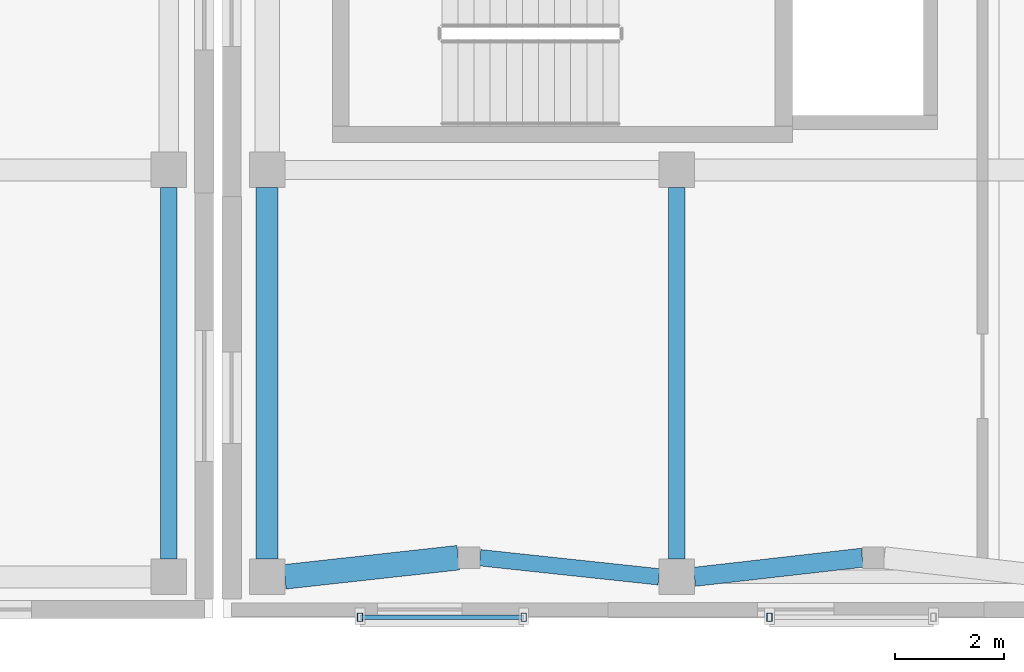
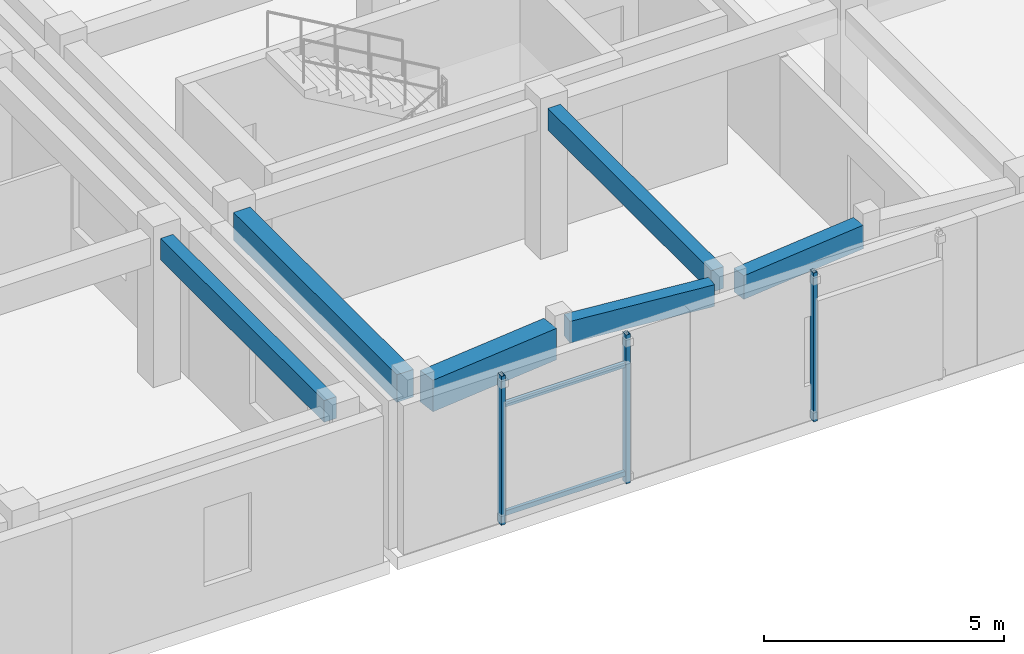
# One storey, part 27 of 146: 6 beams, 5 members.
"""IFC4 building model written with IfcOpenShell, lengths in metres."""

import ifcopenshell
import ifcopenshell.guid

model = None  # the IFC model being written
_history = None  # IfcOwnerHistory: only IFC2X3 demands one
_inside = {}  # id of a spatial element -> (the spatial element, [elements in it])
_under = {}  # id of a project, library or spatial element -> (it, [spatial elements below it])
_declared = {}  # id of a project -> (the project, [libraries it declares])
_typed = {}  # id of a type object -> (the type object, [elements of that type])
_made_of = {}  # id of a material, layer set ... -> (it, [elements and type objects made of it])


def new_model(schema):
    """Start an empty IFC model of exactly this schema.

    Asked for "IFC4X3", IfcOpenShell would pick the latest addendum, in which some entities
    have other attributes; the version numbers below select the first issue.
    IFC2X3 requires an IfcOwnerHistory on every rooted entity: one is made here for all.
    """
    global model, _history
    if schema == "IFC4X3":
        model = ifcopenshell.file(schema_version=(4, 3, 0, 0))
    else:
        model = ifcopenshell.file(schema=schema)
    _inside.clear()
    _under.clear()
    _declared.clear()
    _typed.clear()
    _made_of.clear()
    _history = None
    if model.schema == "IFC2X3":
        org = make("IfcOrganization", Name="unknown")
        user = make(
            "IfcPersonAndOrganization",
            ThePerson=make("IfcPerson", FamilyName="unknown"),
            TheOrganization=org,
        )
        app = make(
            "IfcApplication",
            ApplicationDeveloper=org,
            Version="unknown",
            ApplicationFullName="unknown",
            ApplicationIdentifier="unknown",
        )
        _history = make(
            "IfcOwnerHistory",
            OwningUser=user,
            OwningApplication=app,
            ChangeAction="ADDED",
            CreationDate=0,
        )
    return model


def make(cls, **values):
    """One entity of the class cls with the attributes given. An attribute that is None is left unset."""
    return model.create_entity(
        cls, **{name: value for name, value in values.items() if value is not None}
    )


def rooted(cls, **values):
    """An entity with a GlobalId (a new one), such as an element, a storey or a relation."""
    return make(cls, GlobalId=ifcopenshell.guid.new(), OwnerHistory=_history, **values)


def si_unit(unit_type, name, prefix=None):
    """IfcSIUnit, for example si_unit("LENGTHUNIT", "METRE", prefix="MILLI")."""
    return make("IfcSIUnit", UnitType=unit_type, Prefix=prefix, Name=name)


def assignment(units):
    """IfcUnitAssignment: the units of a project."""
    return None if units is None else make("IfcUnitAssignment", Units=units)


def point(xyz):
    """IfcCartesianPoint."""
    return None if xyz is None else make("IfcCartesianPoint", Coordinates=xyz)


def direction(xyz):
    """IfcDirection."""
    return None if xyz is None else make("IfcDirection", DirectionRatios=xyz)


def frame(location, z_axis=None, x_axis=None):
    """IfcAxis2Placement3D, a coordinate frame: its origin and axes. An axis left out is left unset."""
    return make(
        "IfcAxis2Placement3D",
        Location=point(location),
        Axis=direction(z_axis),
        RefDirection=direction(x_axis),
    )


def frame_2d(location, x_axis=None):
    """IfcAxis2Placement2D, a coordinate frame in the plane: its origin and x axis."""
    return make(
        "IfcAxis2Placement2D", Location=point(location), RefDirection=direction(x_axis)
    )


def origin():
    """The frame at (0, 0, 0) with its axes left unset."""
    return frame((0.0, 0.0, 0.0))


def origin_2d():
    """The frame at (0, 0) in the plane with its x axis left unset."""
    return frame_2d((0.0, 0.0))


def place(relative_to, where):
    """IfcLocalPlacement: puts the frame where relative to a parent placement (None: the world)."""
    return make(
        "IfcLocalPlacement", PlacementRelTo=relative_to, RelativePlacement=where
    )


def context(
    kind, dimensions, precision=None, world=None, true_north=None, identifier=None
):
    """IfcGeometricRepresentationContext, for example the 3D "Model" context."""
    return make(
        "IfcGeometricRepresentationContext",
        ContextIdentifier=identifier,
        ContextType=kind,
        CoordinateSpaceDimension=dimensions,
        Precision=precision,
        WorldCoordinateSystem=world,
        TrueNorth=true_north,
    )


def subcontext(parent, identifier, kind, view, scale=None):
    """IfcGeometricRepresentationSubContext, for example "Body" below "Model"."""
    return make(
        "IfcGeometricRepresentationSubContext",
        ContextIdentifier=identifier,
        ContextType=kind,
        ParentContext=parent,
        TargetScale=scale,
        TargetView=view,
    )


def project(units=None, contexts=None):
    """IfcProject with its units and contexts."""
    return rooted(
        "IfcProject",
        Name="project",
        RepresentationContexts=contexts,
        UnitsInContext=assignment(units),
    )


def spatial(cls, under=None, at=None, **own):
    """A site, building, storey or space (cls), placed at a placement, below another one or the project."""
    s = rooted(cls, ObjectPlacement=at, **own)
    if under is not None:
        _under.setdefault(under.id(), (under, []))[1].append(s)
    return s


def profile(cls, at=None, kind="AREA", **sizes):
    """A parametric profile (cls). Its sizes go by their IFC names, for example OverallWidth=200.0."""
    return make(cls, ProfileType=kind, Position=at, **sizes)


def rectangle(**sizes):
    """IfcRectangleProfileDef."""
    return profile("IfcRectangleProfileDef", **sizes)


def hollow_rectangle(**sizes):
    """IfcRectangleHollowProfileDef."""
    return profile("IfcRectangleHollowProfileDef", **sizes)


def extrude(swept, where, along, depth):
    """IfcExtrudedAreaSolid: the profile swept, set in the frame where, extruded along a direction by depth."""
    return make(
        "IfcExtrudedAreaSolid",
        SweptArea=swept,
        Position=where,
        ExtrudedDirection=direction(along),
        Depth=depth,
    )


def shape(context_of_items, identifier, shape_type, items):
    """IfcShapeRepresentation: the items that make up one representation, for example the "Body"."""
    return make(
        "IfcShapeRepresentation",
        ContextOfItems=context_of_items,
        RepresentationIdentifier=identifier,
        RepresentationType=shape_type,
        Items=items,
    )


def material(Name=None, Category=None):
    """IfcMaterial."""
    return make("IfcMaterial", Name=Name, Category=Category)


def material_profile(
    of_material, cross_section, Name=None, Category=None, Priority=None
):
    """IfcMaterialProfile: a cross section and its material."""
    return make(
        "IfcMaterialProfile",
        Name=Name,
        Material=of_material,
        Profile=cross_section,
        Priority=Priority,
        Category=Category,
    )


def profile_set(profiles, Name=None, composite=None):
    """IfcMaterialProfileSet."""
    return make(
        "IfcMaterialProfileSet",
        Name=Name,
        MaterialProfiles=profiles,
        CompositeProfile=composite,
    )


def made_of(thing, what):
    """Note that an element or type object is made of a material, layer set ...; save() writes the relation."""
    if what is not None:
        _made_of.setdefault(what.id(), (what, []))[1].append(thing)
    return thing


def type_object(cls, material=None, **own):
    """A type object (cls), such as IfcWallType, which elements share."""
    return made_of(rooted(cls, **own), material)


def element(
    cls,
    number,
    at=None,
    inside=None,
    cuts=None,
    type_object=None,
    material=None,
    context=None,
    identifier="Body",
    shape_type=None,
    held_by="IfcProductDefinitionShape",
    body=None,
    shapes=None,
    **own,
):
    """One element of the class cls, such as IfcWall. Its Tag is "e" and its number.

    at: its placement. inside: the storey or other place that contains it. cuts: it is an
    opening in that element (IfcRelVoidsElement). A single representation is given by context,
    identifier, shape_type and body (its items); several are given by shapes. held_by: the class
    of the entity that holds the representations. save() writes the other relations.
    """
    e = rooted(cls, Tag="e%d" % number, ObjectPlacement=at, **own)
    if body is not None:
        shapes = [shape(context, identifier, shape_type, body)]
    if shapes is not None:
        e.Representation = make(held_by, Representations=shapes)
    if inside is not None:
        _inside.setdefault(inside.id(), (inside, []))[1].append(e)
    if cuts is not None:
        rooted(
            "IfcRelVoidsElement", RelatingBuildingElement=cuts, RelatedOpeningElement=e
        )
    if type_object is not None:
        _typed.setdefault(type_object.id(), (type_object, []))[1].append(e)
    return made_of(e, material)


def aggregate(whole, parts):
    """IfcRelAggregates: a whole, such as a stair, and the parts it consists of."""
    return rooted("IfcRelAggregates", RelatingObject=whole, RelatedObjects=parts)


def save(model, path):
    """Write the relations noted so far, then the file.

    IfcRelAggregates (storeys below a building ...), IfcRelContainedInSpatialStructure (elements
    in a storey), IfcRelDefinesByType, IfcRelAssociatesMaterial and IfcRelDeclares: one each for
    every whole, place, type object, material and project.
    """
    for whole, parts in _under.values():
        aggregate(whole, parts)
    for where, things in _inside.values():
        rooted(
            "IfcRelContainedInSpatialStructure",
            RelatedElements=things,
            RelatingStructure=where,
        )
    for kind, things in _typed.values():
        rooted("IfcRelDefinesByType", RelatedObjects=things, RelatingType=kind)
    for what, things in _made_of.values():
        rooted("IfcRelAssociatesMaterial", RelatedObjects=things, RelatingMaterial=what)
    for by, libraries in _declared.values():
        rooted("IfcRelDeclares", RelatingContext=by, RelatedDefinitions=libraries)
    model.write(path)


model = new_model("IFC4")

# Units and contexts
model_context = context("Model", 3, precision=1e-05, world=origin(), true_north=direction((0.0, 1.0)))
body_context = subcontext(model_context, "Body", "Model", "MODEL_VIEW")
ifc_project = project(units=[si_unit("LENGTHUNIT", "METRE"), si_unit("AREAUNIT", "SQUARE_METRE"), si_unit("VOLUMEUNIT", "CUBIC_METRE"), si_unit("PLANEANGLEUNIT", "RADIAN"), si_unit("MASSUNIT", "GRAM", prefix="KILO")], contexts=[model_context])

# Site, building, storey
site_placement = place(None, origin())
site = spatial("IfcSite", under=ifc_project, at=site_placement, CompositionType="ELEMENT")
building_placement = place(site_placement, origin())
building = spatial("IfcBuilding", under=site, at=building_placement, Name="Valcora Specialist Clinic", CompositionType="ELEMENT")
storey_placement = place(building_placement, frame((0.0, 0.0, 9.52001953125)))
storey = spatial("IfcBuildingStorey", under=building, at=storey_placement, Name="L02", CompositionType="ELEMENT", Elevation=9.52001953125)

# Beams
ifc_material_1 = material(Name="Concrete C40/50", Category="concrete")
ifc_material_profile_1 = material_profile(ifc_material_1, rectangle(XDim=0.300048828125, YDim=0.550048828125, at=origin_2d()), Name="RC-BM-300X550")
ifc_profile_set_1 = profile_set([ifc_material_profile_1], Name="Concrete C40/50")
beam_type_1 = type_object("IfcBeamType", Name="TY-BM-RC300X550", PredefinedType="BEAM", material=ifc_profile_set_1)
beam_1_placement = place(storey_placement, frame((52.5, 1.074951171875, 3.4599609375), z_axis=(0.0, 1.0, 0.0), x_axis=(-1.0, 0.0, 0.0)))
element("IfcBeam", 1, at=beam_1_placement, inside=storey, type_object=beam_type_1, Name="Beam BM-L02-1025", PredefinedType="BEAM", context=body_context, shape_type="SweptSolid", body=[
    extrude(rectangle(XDim=0.300048828125, YDim=0.550048828125, at=origin_2d()), origin(), (0.0, 0.0, 1.0), 6.800048828125),
])
beam_2_placement = place(storey_placement, frame((58.199951171875, 1.10009765625, 3.5048828125), z_axis=(0.994335202062, -0.106289726408, 0.0), x_axis=(0.106289726408, 0.994335202062, 0.0)))
element("IfcBeam", 2, at=beam_2_placement, inside=storey, type_object=beam_type_1, Name="Beam BM-L02-1357", PredefinedType="BEAM", context=body_context, shape_type="SweptSolid", body=[
    extrude(rectangle(XDim=0.300048828125, YDim=0.550048828125, at=origin_2d()), origin(), (0.0, 0.0, 1.0), 3.293701171875),
])
beam_3_placement = place(storey_placement, frame((61.800048828125, 1.074951171875, 3.5048828125), z_axis=(0.0, 1.0, 0.0), x_axis=(-1.0, 0.0, 0.0)))
element("IfcBeam", 3, at=beam_3_placement, inside=storey, type_object=beam_type_1, Name="Beam BM-L02-1397", PredefinedType="BEAM", context=body_context, shape_type="SweptSolid", body=[
    extrude(rectangle(XDim=0.300048828125, YDim=0.550048828125, at=origin_2d()), origin(), (0.0, 0.0, 1.0), 6.800048828125),
])
ifc_material_profile_2 = material_profile(ifc_material_1, rectangle(XDim=0.35009765625, YDim=0.60009765625, at=origin_2d()), Name="RC-BM-350X600")
ifc_profile_set_2 = profile_set([ifc_material_profile_2], Name="Concrete C40/50")
beam_type_2 = type_object("IfcBeamType", Name="TY-BM-RC350X600", PredefinedType="BEAM", material=ifc_profile_set_2)
beam_4_placement = place(storey_placement, frame((62.125, 0.75, 3.47998046875), z_axis=(0.993580893822, 0.113123858812, 0.0), x_axis=(-0.113123858812, 0.993580893822, 0.0)))
element("IfcBeam", 4, at=beam_4_placement, inside=storey, type_object=beam_type_2, Name="Beam BM-L02-1358", PredefinedType="BEAM", context=body_context, shape_type="SweptSolid", body=[
    extrude(rectangle(XDim=0.35009765625, YDim=0.60009765625, at=origin_2d()), origin(), (0.0, 0.0, 1.0), 3.0947265625),
])
ifc_material_profile_3 = material_profile(ifc_material_1, rectangle(XDim=0.39990234375, YDim=0.699951171875, at=origin_2d()), Name="RC-BM-400X700")
ifc_profile_set_3 = profile_set([ifc_material_profile_3], Name="Concrete C40/50")
beam_type_3 = type_object("IfcBeamType", Name="TY-BM-RC400X700", PredefinedType="BEAM", material=ifc_profile_set_3)
beam_5_placement = place(storey_placement, frame((54.300048828125, 1.074951171875, 3.429931640625), z_axis=(0.0, 1.0, 0.0), x_axis=(-1.0, 0.0, 0.0)))
element("IfcBeam", 5, at=beam_5_placement, inside=storey, type_object=beam_type_3, Name="Beam BM-L02-1394", PredefinedType="BEAM", context=body_context, shape_type="SweptSolid", body=[
    extrude(rectangle(XDim=0.39990234375, YDim=0.699951171875, at=origin_2d()), origin(), (0.0, 0.0, 1.0), 6.800048828125),
])
ifc_material_profile_4 = material_profile(ifc_material_1, rectangle(XDim=0.449951171875, YDim=0.800048828125, at=origin_2d()), Name="RC-BM-450X800")
ifc_profile_set_4 = profile_set([ifc_material_profile_4], Name="Concrete C40/50")
beam_type_4 = type_object("IfcBeamType", Name="TY-BM-RC450X800", PredefinedType="BEAM", material=ifc_profile_set_4)
beam_6_placement = place(storey_placement, frame((54.625, 0.75, 3.3798828125), z_axis=(0.993975663273, 0.109601007392, 0.0), x_axis=(-0.109601007392, 0.993975663273, 0.0)))
element("IfcBeam", 6, at=beam_6_placement, inside=storey, type_object=beam_type_4, Name="Beam BM-L02-1356", PredefinedType="BEAM", context=body_context, shape_type="SweptSolid", body=[
    extrude(rectangle(XDim=0.449951171875, YDim=0.800048828125, at=origin_2d()), origin(), (0.0, 0.0, 1.0), 3.1943359375),
])

# Members
ifc_material_2 = material(Name="Steel ASTM A500 Grade C", Category="steel")
ifc_material_profile_5 = material_profile(ifc_material_2, hollow_rectangle(XDim=0.10009765625, YDim=0.14990234375, WallThickness=0.006103515625, at=origin_2d()), Name="ST-RHS-150X100X6")
ifc_profile_set_5 = profile_set([ifc_material_profile_5], Name="Steel ASTM A500 Grade C")
member_type_1 = type_object("IfcMemberType", Name="TY-MB-SFPOST", PredefinedType="POST", material=ifc_profile_set_5)
for number, where, z_axis, x_axis, name in (
    (7, (56.0, 0.010009765625, 0.0), (0.0, 0.0, 1.0), (1.0, 0.0, 0.0), "Brick screen carrier post 97"),
    (8, (59.0, 0.010009765625, 0.0), (0.0, 0.0, 1.0), (1.0, 0.0, 0.0), "Brick screen carrier post 98"),
    (9, (63.5, 0.010009765625, 0.0), (0.0, 0.0, 1.0), (1.0, 0.0, 0.0), "Brick screen carrier post 101"),
):
    element("IfcMember", number, at=place(storey_placement, frame(where, z_axis=z_axis, x_axis=x_axis)), inside=storey, type_object=member_type_1, Name=name, PredefinedType="POST", context=body_context, shape_type="SweptSolid", body=[
        extrude(hollow_rectangle(XDim=0.10009765625, YDim=0.14990234375, WallThickness=0.006103515625, at=origin_2d()), origin(), (0.0, 0.0, 1.0), 3.780029296875),
    ])
ifc_material_profile_6 = material_profile(ifc_material_2, hollow_rectangle(XDim=0.080078125, YDim=0.1201171875, WallThickness=0.0048828125, at=origin_2d()), Name="ST-RHS-120X80X5")
ifc_profile_set_6 = profile_set([ifc_material_profile_6], Name="Steel ASTM A500 Grade C")
member_type_2 = type_object("IfcMemberType", Name="TY-MB-SFRAIL", PredefinedType="STRINGER", material=ifc_profile_set_6)
for number, where, z_axis, x_axis, name in (
    (10, (56.0, 0.010009765625, 0.239990234375), (1.0, 0.0, 0.0), (0.0, 1.0, 0.0), "Brick screen carrier rail 99"),
    (11, (56.0, 0.010009765625, 3.0), (1.0, 0.0, 0.0), (0.0, 1.0, 0.0), "Brick screen carrier rail 100"),
):
    element("IfcMember", number, at=place(storey_placement, frame(where, z_axis=z_axis, x_axis=x_axis)), inside=storey, type_object=member_type_2, Name=name, PredefinedType="STRINGER", context=body_context, shape_type="SweptSolid", body=[
        extrude(hollow_rectangle(XDim=0.080078125, YDim=0.1201171875, WallThickness=0.0048828125, at=origin_2d()), origin(), (0.0, 0.0, 1.0), 3.0),
    ])

save(model, "model.ifc")
